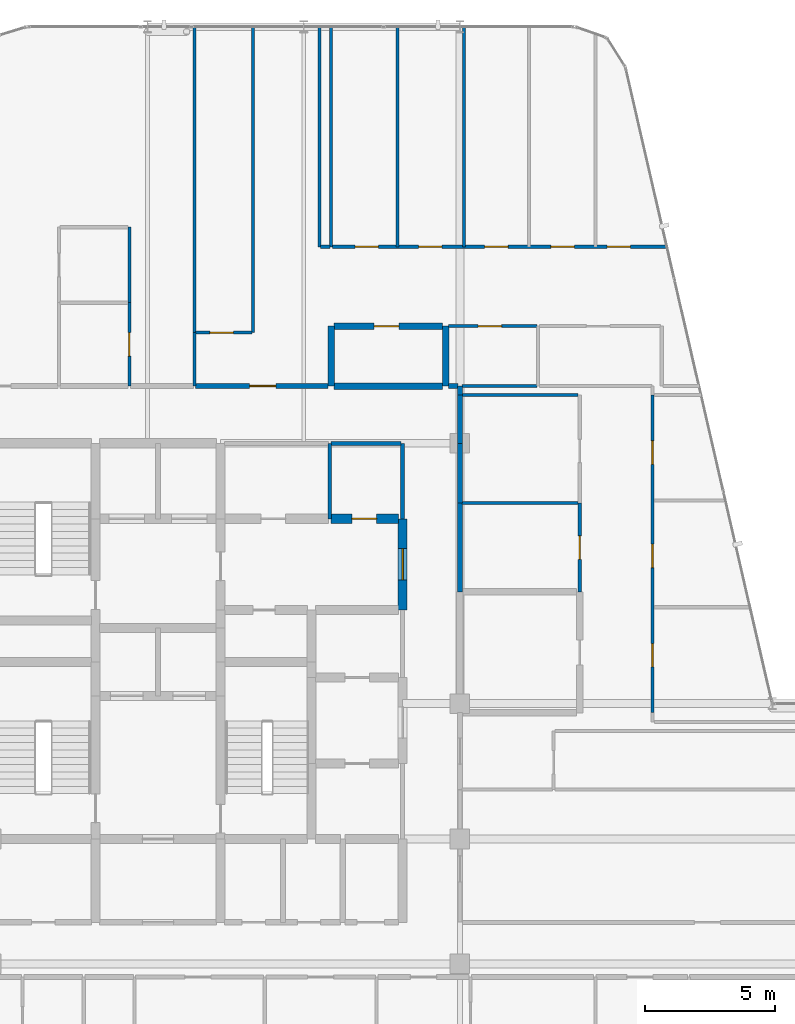
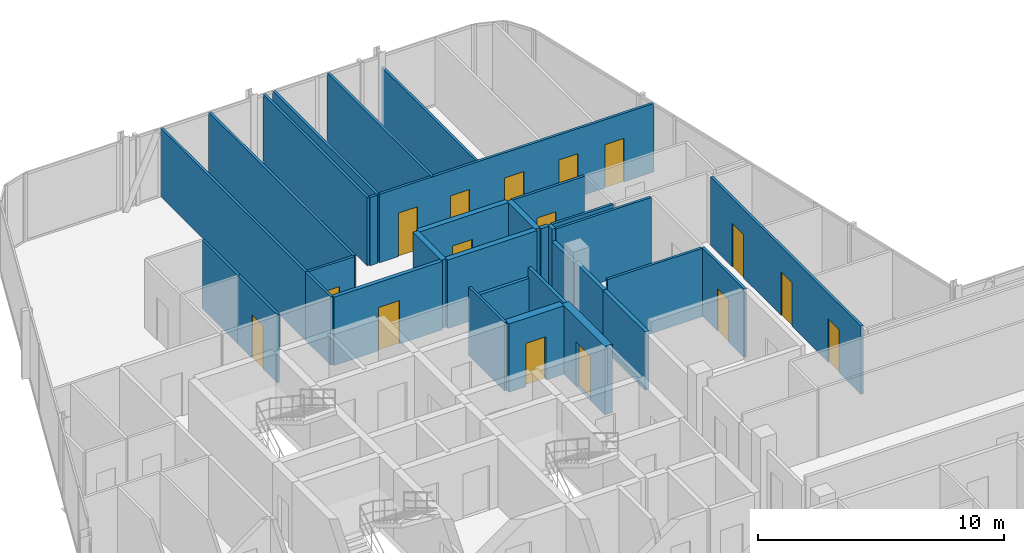
# One storey, part 27 of 29: 33 walls, 16 doors, 16 openings.
"""IFC4 building model written with IfcOpenShell, lengths in metres."""

from ifc_helpers import new_model, si_unit, direction, frame, frame_2d, origin, place, context, subcontext, project, spatial, rectangle, extrude, material, layer, layer_set, type_object, element, fill, save


model = new_model("IFC4")

# Units and contexts
model_context = context("Model", 3, precision=1e-05, world=origin(), true_north=direction((0.0, 1.0)))
body_context = subcontext(model_context, "Body", "Model", "MODEL_VIEW")
ifc_project = project(units=[si_unit("LENGTHUNIT", "METRE"), si_unit("AREAUNIT", "SQUARE_METRE"), si_unit("VOLUMEUNIT", "CUBIC_METRE"), si_unit("PLANEANGLEUNIT", "RADIAN"), si_unit("MASSUNIT", "GRAM", prefix="KILO")], contexts=[model_context])

# Site, building, storey
site_placement = place(None, origin())
site = spatial("IfcSite", under=ifc_project, at=site_placement, CompositionType="ELEMENT")
building_placement = place(site_placement, origin())
building = spatial("IfcBuilding", under=site, at=building_placement, Name="Keshet Zoharim Tower", CompositionType="ELEMENT")
storey_placement = place(building_placement, frame((0.0, 0.0, 226.5)))
storey = spatial("IfcBuildingStorey", under=building, at=storey_placement, Name="L56", CompositionType="ELEMENT", Elevation=226.5)

# Walls
ifc_material_1 = material(Name="Gypsum Plasterboard", Category="gypsum")
ifc_layer_1 = layer(ifc_material_1, 0.14990234375)
ifc_layer_set_1 = layer_set([ifc_layer_1], Name="Gypsum Plasterboard")
wall_type_1 = type_object("IfcWallType", Name="WL-CLIN-150", PredefinedType="STANDARD", material=ifc_layer_set_1)
wall_1_placement = place(storey_placement, frame((30.800048828125, 35.0, 0.0), z_axis=(0.0, 0.0, 1.0), x_axis=(0.0, 1.0, 0.0)))
element("IfcWall", 1, at=wall_1_placement, inside=storey, type_object=wall_type_1, Name="L56 Interior Wall 061", PredefinedType="STANDARD", context=body_context, shape_type="SweptSolid", body=[
    extrude(rectangle(XDim=2.89990234375, YDim=0.14990234375, at=frame_2d((1.449951171875, 0.0))), origin(), (0.0, 0.0, 1.0), 3.389892578125),
])
wall_2_placement = place(storey_placement, frame((28.044921875, 37.89990234375, 0.0), z_axis=(0.0, 0.0, 1.0), x_axis=(1.0, 0.0, 0.0)))
element("IfcWall", 2, at=wall_2_placement, inside=storey, type_object=wall_type_1, Name="L56 Interior Wall 170", PredefinedType="STANDARD", context=body_context, shape_type="SweptSolid", body=[
    extrude(rectangle(XDim=2.695068359375, YDim=0.14990234375, at=frame_2d((1.34765625, 0.0))), origin(), (0.0, 0.0, 1.0), 2.889892578125),
])

# Wall, opening, door
ifc_material_2 = material(Name="Concrete C60/75", Category="concrete")
ifc_layer_2 = layer(ifc_material_2, 0.35009765625)
ifc_layer_set_2 = layer_set([ifc_layer_2], Name="Concrete C60/75")
wall_type_2 = type_object("IfcWallType", Name="WL-CORE-350", PredefinedType="SHEAR", material=ifc_layer_set_2)
wall_3_placement = place(storey_placement, frame((30.800048828125, 31.5, 0.0), z_axis=(0.0, 0.0, 1.0), x_axis=(0.0, 1.0, 0.0)))
wall_3 = element("IfcWall", 3, at=wall_3_placement, inside=storey, type_object=wall_type_2, Name="L56 Core Shear Wall 060", PredefinedType="SHEAR", context=body_context, shape_type="SweptSolid", body=[
    extrude(rectangle(XDim=3.5, YDim=0.35009765625, at=frame_2d((1.75, 0.0))), origin(), (0.0, 0.0, 1.0), 3.389892578125),
])
opening_1_placement = place(wall_3_placement, frame((1.14990234375, 0.0, 0.0)))
opening_1 = element("IfcOpeningElement", 4, at=opening_1_placement, cuts=wall_3, Name="Opening D-F612", PredefinedType="OPENING", context=body_context, shape_type="SweptSolid", body=[
    extrude(rectangle(XDim=1.199951171875, YDim=2.199951171875, at=frame_2d((0.60009765625, 1.10009765625))), frame((0.0, 0.18505859375, 0.0), z_axis=(0.0, -1.0, 0.0), x_axis=(1.0, 0.0, 0.0)), (0.0, 0.0, 1.0), 0.3701171875),
])
ifc_material_3 = material(Name="Hardwood Timber", Category="wood")
door_type_1 = type_object("IfcDoorType", Name="DR-FD60-120", OperationType="NOTDEFINED", PredefinedType="DOOR", material=ifc_material_3)
door_1_placement = place(opening_1_placement, origin())
door_1 = element("IfcDoor", 5, at=door_1_placement, inside=storey, type_object=door_type_1, Name="L56 North Lift Lobby East Fire Door", OperationType="SINGLE_SWING_LEFT", OverallHeight=2.199951171875, OverallWidth=1.199951171875, PredefinedType="DOOR", context=body_context, shape_type="SweptSolid", body=[
    extrude(rectangle(XDim=1.199951171875, YDim=2.199951171875, at=frame_2d((0.60009765625, 1.10009765625))), frame((0.0, 0.02490234375, 0.0), z_axis=(0.0, -1.0, 0.0), x_axis=(1.0, 0.0, 0.0)), (0.0, 0.0, 1.0), 0.050048828125),
])
fill(opening_1, door_1)

wall_4_placement = place(storey_placement, frame((28.044921875, 35.0, 0.0), z_axis=(0.0, 0.0, 1.0), x_axis=(1.0, 0.0, 0.0)))
wall_4 = element("IfcWall", 6, at=wall_4_placement, inside=storey, type_object=wall_type_2, Name="L56 Core Shear Wall 162", PredefinedType="SHEAR", context=body_context, shape_type="SweptSolid", body=[
    extrude(rectangle(XDim=2.594970703125, YDim=0.35009765625, at=frame_2d((1.29736328125, 0.0))), origin(), (0.0, 0.0, 1.0), 3.389892578125),
])
opening_2_placement = place(wall_4_placement, frame((0.805908203125, 0.0, 0.0)))
opening_2 = element("IfcOpeningElement", 7, at=opening_2_placement, cuts=wall_4, Name="Opening D-F695", PredefinedType="OPENING", context=body_context, shape_type="SweptSolid", body=[
    extrude(rectangle(XDim=0.949951171875, YDim=2.14990234375, at=frame_2d((0.47509765625, 1.074951171875))), frame((0.0, 0.18505859375, 0.0), z_axis=(0.0, -1.0, 0.0), x_axis=(1.0, 0.0, 0.0)), (0.0, 0.0, 1.0), 0.3701171875),
])
door_type_2 = type_object("IfcDoorType", Name="DR-FD60-095", OperationType="NOTDEFINED", PredefinedType="DOOR", material=ifc_material_3)
door_2_placement = place(opening_2_placement, frame((0.949951171875, 0.0, 0.0), z_axis=(0.0, 0.0, 1.0), x_axis=(-1.0, 0.0, 0.0)))
door_2 = element("IfcDoor", 8, at=door_2_placement, inside=storey, type_object=door_type_2, Name="L56 Quiet Study Room Door", OperationType="SINGLE_SWING_LEFT", OverallHeight=2.14990234375, OverallWidth=0.949951171875, PredefinedType="DOOR", context=body_context, shape_type="SweptSolid", body=[
    extrude(rectangle(XDim=0.949951171875, YDim=2.14990234375, at=frame_2d((0.47509765625, 1.074951171875))), frame((0.0, 0.02490234375, 0.0), z_axis=(0.0, -1.0, 0.0), x_axis=(1.0, 0.0, 0.0)), (0.0, 0.0, 1.0), 0.050048828125),
])
fill(opening_2, door_2)

# Walls
ifc_layer_3 = layer(ifc_material_1, 0.179931640625)
ifc_layer_set_3 = layer_set([ifc_layer_3], Name="Gypsum Plasterboard")
wall_type_3 = type_object("IfcWallType", Name="WL-CORR-180", PredefinedType="STANDARD", material=ifc_layer_set_3)
wall_5_placement = place(storey_placement, frame((33.0, 32.18603515625, 0.0), z_axis=(0.0, 0.0, 1.0), x_axis=(0.0, 1.0, 0.0)))
element("IfcWall", 9, at=wall_5_placement, inside=storey, type_object=wall_type_3, Name="L56 Interior Wall 066", PredefinedType="STANDARD", context=body_context, shape_type="SweptSolid", body=[
    extrude(rectangle(XDim=3.416015625, YDim=0.179931640625, at=frame_2d((1.7080078125, 0.0))), origin(), (0.0, 0.0, 1.0), 2.889892578125),
])
wall_6_placement = place(storey_placement, frame((33.0, 35.60205078125, 0.0), z_axis=(0.0, 0.0, 1.0), x_axis=(0.0, 1.0, 0.0)))
element("IfcWall", 10, at=wall_6_placement, inside=storey, type_object=wall_type_3, Name="L56 Interior Wall 067", PredefinedType="STANDARD", context=body_context, shape_type="SweptSolid", body=[
    extrude(rectangle(XDim=2.2978515625, YDim=0.179931640625, at=frame_2d((1.14892578125, 0.0))), origin(), (0.0, 0.0, 1.0), 2.889892578125),
])
wall_7_placement = place(storey_placement, frame((33.0, 39.75, 0.0), z_axis=(0.0, 0.0, 1.0), x_axis=(0.0, 1.0, 0.0)))
element("IfcWall", 11, at=wall_7_placement, inside=storey, type_object=wall_type_3, Name="L56 Interior Wall 068", PredefinedType="STANDARD", context=body_context, shape_type="SweptSolid", body=[
    extrude(rectangle(XDim=0.35009765625, YDim=0.179931640625, at=frame_2d((0.175048828125, 0.0))), origin(), (0.0, 0.0, 1.0), 3.389892578125),
])

# Wall, opening, door
wall_8_placement = place(storey_placement, frame((22.844970703125, 40.10009765625, 0.0), z_axis=(0.0, 0.0, 1.0), x_axis=(1.0, 0.0, 0.0)))
wall_8 = element("IfcWall", 12, at=wall_8_placement, inside=storey, type_object=wall_type_3, Name="L56 Interior Wall 178", PredefinedType="STANDARD", context=body_context, shape_type="SweptSolid", body=[
    extrude(rectangle(XDim=5.094970703125, YDim=0.179931640625, at=frame_2d((2.54736328125, 0.0))), origin(), (0.0, 0.0, 1.0), 3.389892578125),
])
opening_3_placement = place(wall_8_placement, frame((2.080078125, 0.0, 0.0)))
opening_3 = element("IfcOpeningElement", 13, at=opening_3_placement, cuts=wall_8, Name="Opening D-F310", PredefinedType="OPENING", context=body_context, shape_type="SweptSolid", body=[
    extrude(rectangle(XDim=1.0, YDim=2.14990234375, at=frame_2d((0.5, 1.074951171875))), frame((0.0, 0.10009765625, 0.0), z_axis=(0.0, -1.0, 0.0), x_axis=(1.0, 0.0, 0.0)), (0.0, 0.0, 1.0), 0.199951171875),
])
door_type_3 = type_object("IfcDoorType", Name="DR-FD30-100", OperationType="NOTDEFINED", PredefinedType="DOOR", material=ifc_material_3)
door_3_placement = place(opening_3_placement, origin())
door_3 = element("IfcDoor", 14, at=door_3_placement, inside=storey, type_object=door_type_3, Name="Apartment 5606 Entrance Door", OperationType="SINGLE_SWING_LEFT", OverallHeight=2.14990234375, OverallWidth=1.0, PredefinedType="DOOR", context=body_context, shape_type="SweptSolid", body=[
    extrude(rectangle(XDim=1.0, YDim=2.14990234375, at=frame_2d((0.5, 1.074951171875))), frame((0.0, 0.02490234375, 0.0), z_axis=(0.0, -1.0, 0.0), x_axis=(1.0, 0.0, 0.0)), (0.0, 0.0, 1.0), 0.050048828125),
])
fill(opening_3, door_3)

# Walls
wall_9_placement = place(storey_placement, frame((32.554931640625, 40.10009765625, 0.0), z_axis=(0.0, 0.0, 1.0), x_axis=(1.0, 0.0, 0.0)))
element("IfcWall", 15, at=wall_9_placement, inside=storey, type_object=wall_type_3, Name="L56 Interior Wall 180", PredefinedType="STANDARD", context=body_context, shape_type="SweptSolid", body=[
    extrude(rectangle(XDim=0.3701171875, YDim=0.179931640625, at=frame_2d((0.18505859375, 0.0))), origin(), (0.0, 0.0, 1.0), 3.389892578125),
])
wall_10_placement = place(storey_placement, frame((33.0, 37.89990234375, 0.0), z_axis=(0.0, 0.0, 1.0), x_axis=(0.0, 1.0, 0.0)))
element("IfcWall", 16, at=wall_10_placement, inside=storey, type_object=wall_type_3, Name="L56 Interior Wall 067 Part 2", PredefinedType="STANDARD", context=body_context, shape_type="SweptSolid", body=[
    extrude(rectangle(XDim=1.85009765625, YDim=0.179931640625, at=frame_2d((0.925048828125, 0.0))), origin(), (0.0, 0.0, 1.0), 2.7900390625),
])
ifc_material_4 = material(Name="Concrete C50/60", Category="concrete")
ifc_layer_4 = layer(ifc_material_4, 0.25)
ifc_layer_set_4 = layer_set([ifc_layer_4], Name="Concrete C50/60")
wall_type_4 = type_object("IfcWallType", Name="WL-MAMAD-250", PredefinedType="STANDARD", material=ifc_layer_set_4)
for number, where, z_axis, x_axis, name in (
    (17, (28.050048828125, 40.10009765625, 0.0), (0.0, 0.0, 1.0), (0.0, 1.0, 0.0), "L56 Interior Wall 051"),
    (18, (32.449951171875, 40.10009765625, 0.0), (0.0, 0.0, 1.0), (0.0, 1.0, 0.0), "L56 Interior Wall 062"),
):
    element("IfcWall", number, at=place(storey_placement, frame(where, z_axis=z_axis, x_axis=x_axis)), inside=storey, type_object=wall_type_4, Name=name, PredefinedType="STANDARD", context=body_context, shape_type="SweptSolid", body=[
        extrude(rectangle(XDim=2.2998046875, YDim=0.25, at=frame_2d((1.14990234375, 0.0))), origin(), (0.0, 0.0, 1.0), 3.389892578125),
    ])
wall_11_placement = place(storey_placement, frame((28.159912109375, 40.10009765625, 0.0), z_axis=(0.0, 0.0, 1.0), x_axis=(1.0, 0.0, 0.0)))
element("IfcWall", 19, at=wall_11_placement, inside=storey, type_object=wall_type_4, Name="L56 Interior Wall 179", PredefinedType="STANDARD", context=body_context, shape_type="SweptSolid", body=[
    extrude(rectangle(XDim=4.175048828125, YDim=0.25, at=frame_2d((2.08740234375, 0.0))), origin(), (0.0, 0.0, 1.0), 3.389892578125),
])

# Wall, opening, door
wall_12_placement = place(storey_placement, frame((28.159912109375, 42.39990234375, 0.0), z_axis=(0.0, 0.0, 1.0), x_axis=(1.0, 0.0, 0.0)))
wall_12 = element("IfcWall", 20, at=wall_12_placement, inside=storey, type_object=wall_type_4, Name="L56 Interior Wall 185", PredefinedType="STANDARD", context=body_context, shape_type="SweptSolid", body=[
    extrude(rectangle(XDim=4.175048828125, YDim=0.25, at=frame_2d((2.08740234375, 0.0))), origin(), (0.0, 0.0, 1.0), 3.389892578125),
])
opening_4_placement = place(wall_12_placement, frame((1.5419921875, 0.0, 0.0)))
opening_4 = element("IfcOpeningElement", 21, at=opening_4_placement, cuts=wall_12, Name="Opening D-F695", PredefinedType="OPENING", context=body_context, shape_type="SweptSolid", body=[
    extrude(rectangle(XDim=0.949951171875, YDim=2.14990234375, at=frame_2d((0.47509765625, 1.074951171875))), frame((0.0, 0.135009765625, 0.0), z_axis=(0.0, -1.0, 0.0), x_axis=(1.0, 0.0, 0.0)), (0.0, 0.0, 1.0), 0.27001953125),
])
door_4_placement = place(opening_4_placement, origin())
door_4 = element("IfcDoor", 22, at=door_4_placement, inside=storey, type_object=door_type_2, Name="Apartment 5606 Study and Shelter Room Door", OperationType="SINGLE_SWING_LEFT", OverallHeight=2.14990234375, OverallWidth=0.949951171875, PredefinedType="DOOR", context=body_context, shape_type="SweptSolid", body=[
    extrude(rectangle(XDim=0.949951171875, YDim=2.14990234375, at=frame_2d((0.47509765625, 1.074951171875))), frame((0.0, 0.02490234375, 0.0), z_axis=(0.0, -1.0, 0.0), x_axis=(1.0, 0.0, 0.0)), (0.0, 0.0, 1.0), 0.050048828125),
])
fill(opening_4, door_4)

ifc_layer_5 = layer(ifc_material_1, 0.1201171875)
ifc_layer_set_5 = layer_set([ifc_layer_5], Name="Gypsum Plasterboard")
wall_type_5 = type_object("IfcWallType", Name="WL-PART-120", PredefinedType="PARTITIONING", material=ifc_layer_set_5)
wall_13_placement = place(storey_placement, frame((20.300048828125, 40.10009765625, 0.0), z_axis=(0.0, 0.0, 1.0), x_axis=(0.0, 1.0, 0.0)))
wall_13 = element("IfcWall", 23, at=wall_13_placement, inside=storey, type_object=wall_type_5, Name="L56 Interior Wall 028", PredefinedType="PARTITIONING", context=body_context, shape_type="SweptSolid", body=[
    extrude(rectangle(XDim=3.199951171875, YDim=0.1201171875, at=frame_2d((1.60009765625, 0.0))), origin(), (0.0, 0.0, 1.0), 3.389892578125),
])
opening_5_placement = place(wall_13_placement, frame((1.14990234375, 0.0, 0.0)))
opening_5 = element("IfcOpeningElement", 24, at=opening_5_placement, cuts=wall_13, Name="Opening D-IN90", PredefinedType="OPENING", context=body_context, shape_type="SweptSolid", body=[
    extrude(rectangle(XDim=0.89990234375, YDim=2.14990234375, at=frame_2d((0.449951171875, 1.074951171875))), frame((0.0, 0.070068359375, 0.0), z_axis=(0.0, -1.0, 0.0), x_axis=(1.0, 0.0, 0.0)), (0.0, 0.0, 1.0), 0.14013671875),
])
door_type_4 = type_object("IfcDoorType", Name="DR-INT-090", OperationType="NOTDEFINED", PredefinedType="DOOR", material=ifc_material_3)
door_5_placement = place(opening_5_placement, origin())
door_5 = element("IfcDoor", 25, at=door_5_placement, inside=storey, type_object=door_type_4, Name="Apartment 5605 Kitchenette Door", OperationType="SINGLE_SWING_LEFT", OverallHeight=2.14990234375, OverallWidth=0.89990234375, PredefinedType="DOOR", context=body_context, shape_type="SweptSolid", body=[
    extrude(rectangle(XDim=0.89990234375, YDim=2.14990234375, at=frame_2d((0.449951171875, 1.074951171875))), frame((0.0, 0.02490234375, 0.0), z_axis=(0.0, -1.0, 0.0), x_axis=(1.0, 0.0, 0.0)), (0.0, 0.0, 1.0), 0.050048828125),
])
fill(opening_5, door_5)

# Walls
wall_14_placement = place(storey_placement, frame((22.800048828125, 40.10009765625, 0.0), z_axis=(0.0, 0.0, 1.0), x_axis=(0.0, 1.0, 0.0)))
element("IfcWall", 26, at=wall_14_placement, inside=storey, type_object=wall_type_5, Name="L56 Interior Wall 033", PredefinedType="PARTITIONING", context=body_context, shape_type="SweptSolid", body=[
    extrude(rectangle(XDim=2.0498046875, YDim=0.1201171875, at=frame_2d((1.02490234375, 0.0))), origin(), (0.0, 0.0, 1.0), 3.389892578125),
])
for number, where, z_axis, x_axis, name in (
    (27, (22.800048828125, 42.14990234375, 0.0), (0.0, 0.0, 1.0), (0.0, 1.0, 0.0), "L56 Interior Wall 034"),
    (28, (25.050048828125, 42.14990234375, 0.0), (0.0, 0.0, 1.0), (0.0, 1.0, 0.0), "L56 Interior Wall 042"),
):
    element("IfcWall", number, at=place(storey_placement, frame(where, z_axis=z_axis, x_axis=x_axis)), inside=storey, type_object=wall_type_5, Name=name, PredefinedType="PARTITIONING", context=body_context, shape_type="SweptSolid", body=[
        extrude(rectangle(XDim=11.739990234375, YDim=0.1201171875, at=frame_2d((5.8701171875, 0.0))), origin(), (0.0, 0.0, 1.0), 3.389892578125),
    ])
wall_15_placement = place(storey_placement, frame((27.60009765625, 45.449951171875, 0.0), z_axis=(0.0, 0.0, 1.0), x_axis=(0.0, 1.0, 0.0)))
element("IfcWall", 29, at=wall_15_placement, inside=storey, type_object=wall_type_5, Name="L56 Interior Wall 049", PredefinedType="PARTITIONING", context=body_context, shape_type="SweptSolid", body=[
    extrude(rectangle(XDim=8.43994140625, YDim=0.1201171875, at=frame_2d((4.219970703125, 0.0))), origin(), (0.0, 0.0, 1.0), 3.389892578125),
])
wall_16_placement = place(storey_placement, frame((28.0, 35.0, 0.0), z_axis=(0.0, 0.0, 1.0), x_axis=(0.0, 1.0, 0.0)))
element("IfcWall", 30, at=wall_16_placement, inside=storey, type_object=wall_type_5, Name="L56 Interior Wall 050", PredefinedType="PARTITIONING", context=body_context, shape_type="SweptSolid", body=[
    extrude(rectangle(XDim=2.89990234375, YDim=0.1201171875, at=frame_2d((1.449951171875, 0.0))), origin(), (0.0, 0.0, 1.0), 3.389892578125),
])
for number, where, z_axis, x_axis, name in (
    (31, (28.050048828125, 45.449951171875, 0.0), (0.0, 0.0, 1.0), (0.0, 1.0, 0.0), "L56 Interior Wall 052"),
    (32, (30.60009765625, 45.449951171875, 0.0), (0.0, 0.0, 1.0), (0.0, 1.0, 0.0), "L56 Interior Wall 055"),
):
    element("IfcWall", number, at=place(storey_placement, frame(where, z_axis=z_axis, x_axis=x_axis)), inside=storey, type_object=wall_type_5, Name=name, PredefinedType="PARTITIONING", context=body_context, shape_type="SweptSolid", body=[
        extrude(rectangle(XDim=8.43994140625, YDim=0.1201171875, at=frame_2d((4.219970703125, 0.0))), origin(), (0.0, 0.0, 1.0), 3.389892578125),
    ])
wall_17_placement = place(storey_placement, frame((33.14990234375, 45.449951171875, 0.0), z_axis=(0.0, 0.0, 1.0), x_axis=(0.0, 1.0, 0.0)))
element("IfcWall", 33, at=wall_17_placement, inside=storey, type_object=wall_type_5, Name="L56 Interior Wall 069", PredefinedType="PARTITIONING", context=body_context, shape_type="SweptSolid", body=[
    extrude(rectangle(XDim=8.43994140625, YDim=0.1201171875, at=frame_2d((4.219970703125, 0.0))), origin(), (0.0, 0.0, 1.0), 2.7900390625),
])

# Wall, openings, doors
wall_18_placement = place(storey_placement, frame((40.39990234375, 27.550048828125, 0.0), z_axis=(0.0, 0.0, 1.0), x_axis=(0.0, 1.0, 0.0)))
wall_18 = element("IfcWall", 34, at=wall_18_placement, inside=storey, type_object=wall_type_5, Name="L56 Interior Wall 084", PredefinedType="PARTITIONING", context=body_context, shape_type="SweptSolid", body=[
    extrude(rectangle(XDim=12.199951171875, YDim=0.1201171875, at=frame_2d((6.10009765625, 0.0))), origin(), (0.0, 0.0, 1.0), 3.389892578125),
])
opening_6_placement = place(wall_18_placement, frame((1.758056640625, 0.0, 0.0)))
opening_6 = element("IfcOpeningElement", 35, at=opening_6_placement, cuts=wall_18, Name="Opening D-IN90", PredefinedType="OPENING", context=body_context, shape_type="SweptSolid", body=[
    extrude(rectangle(XDim=0.89990234375, YDim=2.14990234375, at=frame_2d((0.449951171875, 1.074951171875))), frame((0.0, 0.070068359375, 0.0), z_axis=(0.0, -1.0, 0.0), x_axis=(1.0, 0.0, 0.0)), (0.0, 0.0, 1.0), 0.14013671875),
])
opening_7_placement = place(wall_18_placement, frame((5.5791015625, 0.0, 0.0)))
opening_7 = element("IfcOpeningElement", 36, at=opening_7_placement, cuts=wall_18, Name="Opening D-IN90", PredefinedType="OPENING", context=body_context, shape_type="SweptSolid", body=[
    extrude(rectangle(XDim=0.89990234375, YDim=2.14990234375, at=frame_2d((0.449951171875, 1.074951171875))), frame((0.0, 0.070068359375, 0.0), z_axis=(0.0, -1.0, 0.0), x_axis=(1.0, 0.0, 0.0)), (0.0, 0.0, 1.0), 0.14013671875),
])
opening_8_placement = place(wall_18_placement, frame((9.541015625, 0.0, 0.0)))
opening_8 = element("IfcOpeningElement", 37, at=opening_8_placement, cuts=wall_18, Name="Opening D-IN90", PredefinedType="OPENING", context=body_context, shape_type="SweptSolid", body=[
    extrude(rectangle(XDim=0.89990234375, YDim=2.14990234375, at=frame_2d((0.449951171875, 1.074951171875))), frame((0.0, 0.070068359375, 0.0), z_axis=(0.0, -1.0, 0.0), x_axis=(1.0, 0.0, 0.0)), (0.0, 0.0, 1.0), 0.14013671875),
])
door_6_placement = place(opening_6_placement, origin())
door_6 = element("IfcDoor", 38, at=door_6_placement, inside=storey, type_object=door_type_4, Name="Apartment 5610 Bedroom 1 Door", OperationType="SINGLE_SWING_RIGHT", OverallHeight=2.14990234375, OverallWidth=0.89990234375, PredefinedType="DOOR", context=body_context, shape_type="SweptSolid", body=[
    extrude(rectangle(XDim=0.89990234375, YDim=2.14990234375, at=frame_2d((0.449951171875, 1.074951171875))), frame((0.0, 0.02490234375, 0.0), z_axis=(0.0, -1.0, 0.0), x_axis=(1.0, 0.0, 0.0)), (0.0, 0.0, 1.0), 0.050048828125),
])
fill(opening_6, door_6)
door_7_placement = place(opening_7_placement, origin())
door_7 = element("IfcDoor", 39, at=door_7_placement, inside=storey, type_object=door_type_4, Name="Apartment 5610 Bedroom 2 Door", OperationType="SINGLE_SWING_LEFT", OverallHeight=2.14990234375, OverallWidth=0.89990234375, PredefinedType="DOOR", context=body_context, shape_type="SweptSolid", body=[
    extrude(rectangle(XDim=0.89990234375, YDim=2.14990234375, at=frame_2d((0.449951171875, 1.074951171875))), frame((0.0, 0.02490234375, 0.0), z_axis=(0.0, -1.0, 0.0), x_axis=(1.0, 0.0, 0.0)), (0.0, 0.0, 1.0), 0.050048828125),
])
fill(opening_7, door_7)
door_8_placement = place(opening_8_placement, origin())
door_8 = element("IfcDoor", 40, at=door_8_placement, inside=storey, type_object=door_type_4, Name="Apartment 5610 Bedroom 3 Door", OperationType="SINGLE_SWING_RIGHT", OverallHeight=2.14990234375, OverallWidth=0.89990234375, PredefinedType="DOOR", context=body_context, shape_type="SweptSolid", body=[
    extrude(rectangle(XDim=0.89990234375, YDim=2.14990234375, at=frame_2d((0.449951171875, 1.074951171875))), frame((0.0, 0.02490234375, 0.0), z_axis=(0.0, -1.0, 0.0), x_axis=(1.0, 0.0, 0.0)), (0.0, 0.0, 1.0), 0.050048828125),
])
fill(opening_8, door_8)

# Wall
wall_19_placement = place(storey_placement, frame((33.074951171875, 39.75, 0.0), z_axis=(0.0, 0.0, 1.0), x_axis=(1.0, 0.0, 0.0)))
element("IfcWall", 41, at=wall_19_placement, inside=storey, type_object=wall_type_5, Name="L56 Interior Wall 171", PredefinedType="PARTITIONING", context=body_context, shape_type="SweptSolid", body=[
    extrude(rectangle(XDim=4.4599609375, YDim=0.1201171875, at=frame_2d((2.22998046875, 0.0))), origin(), (0.0, 0.0, 1.0), 3.389892578125),
])

# Wall, opening, door
wall_20_placement = place(storey_placement, frame((22.844970703125, 42.14990234375, 0.0), z_axis=(0.0, 0.0, 1.0), x_axis=(1.0, 0.0, 0.0)))
wall_20 = element("IfcWall", 42, at=wall_20_placement, inside=storey, type_object=wall_type_5, Name="L56 Interior Wall 184", PredefinedType="PARTITIONING", context=body_context, shape_type="SweptSolid", body=[
    extrude(rectangle(XDim=2.159912109375, YDim=0.1201171875, at=frame_2d((1.080078125, 0.0))), origin(), (0.0, 0.0, 1.0), 3.389892578125),
])
opening_9_placement = place(wall_20_placement, frame((0.552978515625, 0.0, 0.0)))
opening_9 = element("IfcOpeningElement", 43, at=opening_9_placement, cuts=wall_20, Name="Opening D-IN90", PredefinedType="OPENING", context=body_context, shape_type="SweptSolid", body=[
    extrude(rectangle(XDim=0.89990234375, YDim=2.14990234375, at=frame_2d((0.449951171875, 1.074951171875))), frame((0.0, 0.070068359375, 0.0), z_axis=(0.0, -1.0, 0.0), x_axis=(1.0, 0.0, 0.0)), (0.0, 0.0, 1.0), 0.14013671875),
])
door_9_placement = place(opening_9_placement, origin())
door_9 = element("IfcDoor", 44, at=door_9_placement, inside=storey, type_object=door_type_4, Name="Apartment 5606 Formal Dining Room Door", OperationType="SINGLE_SWING_RIGHT", OverallHeight=2.14990234375, OverallWidth=0.89990234375, PredefinedType="DOOR", context=body_context, shape_type="SweptSolid", body=[
    extrude(rectangle(XDim=0.89990234375, YDim=2.14990234375, at=frame_2d((0.449951171875, 1.074951171875))), frame((0.0, 0.02490234375, 0.0), z_axis=(0.0, -1.0, 0.0), x_axis=(1.0, 0.0, 0.0)), (0.0, 0.0, 1.0), 0.050048828125),
])
fill(opening_9, door_9)

# Wall
wall_21_placement = place(storey_placement, frame((27.64501953125, 45.449951171875, 0.0), z_axis=(0.0, 0.0, 1.0), x_axis=(1.0, 0.0, 0.0)))
element("IfcWall", 45, at=wall_21_placement, inside=storey, type_object=wall_type_5, Name="L56 Interior Wall 189", PredefinedType="PARTITIONING", context=body_context, shape_type="SweptSolid", body=[
    extrude(rectangle(XDim=0.35986328125, YDim=0.1201171875, at=frame_2d((0.179931640625, 0.0))), origin(), (0.0, 0.0, 1.0), 3.389892578125),
])

# Wall, openings, doors
wall_22_placement = place(storey_placement, frame((28.094970703125, 45.449951171875, 0.0), z_axis=(0.0, 0.0, 1.0), x_axis=(1.0, 0.0, 0.0)))
wall_22 = element("IfcWall", 46, at=wall_22_placement, inside=storey, type_object=wall_type_5, Name="L56 Interior Wall 190", PredefinedType="PARTITIONING", context=body_context, shape_type="SweptSolid", body=[
    extrude(rectangle(XDim=12.844970703125, YDim=0.1201171875, at=frame_2d((6.42236328125, 0.0))), origin(), (0.0, 0.0, 1.0), 3.389892578125),
])
opening_10_placement = place(wall_22_placement, frame((0.8740234375, 0.0, 0.0)))
opening_10 = element("IfcOpeningElement", 47, at=opening_10_placement, cuts=wall_22, Name="Opening D-IN90", PredefinedType="OPENING", context=body_context, shape_type="SweptSolid", body=[
    extrude(rectangle(XDim=0.89990234375, YDim=2.14990234375, at=frame_2d((0.449951171875, 1.074951171875))), frame((0.0, 0.070068359375, 0.0), z_axis=(0.0, -1.0, 0.0), x_axis=(1.0, 0.0, 0.0)), (0.0, 0.0, 1.0), 0.14013671875),
])
opening_11_placement = place(wall_22_placement, frame((3.31494140625, 0.0, 0.0)))
opening_11 = element("IfcOpeningElement", 48, at=opening_11_placement, cuts=wall_22, Name="Opening D-IN90", PredefinedType="OPENING", context=body_context, shape_type="SweptSolid", body=[
    extrude(rectangle(XDim=0.89990234375, YDim=2.14990234375, at=frame_2d((0.449951171875, 1.074951171875))), frame((0.0, 0.070068359375, 0.0), z_axis=(0.0, -1.0, 0.0), x_axis=(1.0, 0.0, 0.0)), (0.0, 0.0, 1.0), 0.14013671875),
])
opening_12_placement = place(wall_22_placement, frame((5.85595703125, 0.0, 0.0)))
opening_12 = element("IfcOpeningElement", 49, at=opening_12_placement, cuts=wall_22, Name="Opening D-IN90", PredefinedType="OPENING", context=body_context, shape_type="SweptSolid", body=[
    extrude(rectangle(XDim=0.89990234375, YDim=2.14990234375, at=frame_2d((0.449951171875, 1.074951171875))), frame((0.0, 0.070068359375, 0.0), z_axis=(0.0, -1.0, 0.0), x_axis=(1.0, 0.0, 0.0)), (0.0, 0.0, 1.0), 0.14013671875),
])
opening_13_placement = place(wall_22_placement, frame((8.39697265625, 0.0, 0.0)))
opening_13 = element("IfcOpeningElement", 50, at=opening_13_placement, cuts=wall_22, Name="Opening D-IN90", PredefinedType="OPENING", context=body_context, shape_type="SweptSolid", body=[
    extrude(rectangle(XDim=0.89990234375, YDim=2.14990234375, at=frame_2d((0.449951171875, 1.074951171875))), frame((0.0, 0.070068359375, 0.0), z_axis=(0.0, -1.0, 0.0), x_axis=(1.0, 0.0, 0.0)), (0.0, 0.0, 1.0), 0.14013671875),
])
opening_14_placement = place(wall_22_placement, frame((10.554931640625, 0.0, 0.0)))
opening_14 = element("IfcOpeningElement", 51, at=opening_14_placement, cuts=wall_22, Name="Opening D-IN90", PredefinedType="OPENING", context=body_context, shape_type="SweptSolid", body=[
    extrude(rectangle(XDim=0.89990234375, YDim=2.14990234375, at=frame_2d((0.449951171875, 1.074951171875))), frame((0.0, 0.070068359375, 0.0), z_axis=(0.0, -1.0, 0.0), x_axis=(1.0, 0.0, 0.0)), (0.0, 0.0, 1.0), 0.14013671875),
])
door_10_placement = place(opening_10_placement, origin())
door_10 = element("IfcDoor", 52, at=door_10_placement, inside=storey, type_object=door_type_4, Name="Apartment 5606 Bedroom 1 Door", OperationType="SINGLE_SWING_RIGHT", OverallHeight=2.14990234375, OverallWidth=0.89990234375, PredefinedType="DOOR", context=body_context, shape_type="SweptSolid", body=[
    extrude(rectangle(XDim=0.89990234375, YDim=2.14990234375, at=frame_2d((0.449951171875, 1.074951171875))), frame((0.0, 0.02490234375, 0.0), z_axis=(0.0, -1.0, 0.0), x_axis=(1.0, 0.0, 0.0)), (0.0, 0.0, 1.0), 0.050048828125),
])
fill(opening_10, door_10)
door_11_placement = place(opening_11_placement, origin())
door_11 = element("IfcDoor", 53, at=door_11_placement, inside=storey, type_object=door_type_4, Name="Apartment 5606 Bedroom 2 Door", OperationType="SINGLE_SWING_LEFT", OverallHeight=2.14990234375, OverallWidth=0.89990234375, PredefinedType="DOOR", context=body_context, shape_type="SweptSolid", body=[
    extrude(rectangle(XDim=0.89990234375, YDim=2.14990234375, at=frame_2d((0.449951171875, 1.074951171875))), frame((0.0, 0.02490234375, 0.0), z_axis=(0.0, -1.0, 0.0), x_axis=(1.0, 0.0, 0.0)), (0.0, 0.0, 1.0), 0.050048828125),
])
fill(opening_11, door_11)
door_12_placement = place(opening_12_placement, origin())
door_12 = element("IfcDoor", 54, at=door_12_placement, inside=storey, type_object=door_type_4, Name="Apartment 5606 Bedroom 3 Door", OperationType="SINGLE_SWING_RIGHT", OverallHeight=2.14990234375, OverallWidth=0.89990234375, PredefinedType="DOOR", context=body_context, shape_type="SweptSolid", body=[
    extrude(rectangle(XDim=0.89990234375, YDim=2.14990234375, at=frame_2d((0.449951171875, 1.074951171875))), frame((0.0, 0.02490234375, 0.0), z_axis=(0.0, -1.0, 0.0), x_axis=(1.0, 0.0, 0.0)), (0.0, 0.0, 1.0), 0.050048828125),
])
fill(opening_12, door_12)
door_13_placement = place(opening_13_placement, origin())
door_13 = element("IfcDoor", 55, at=door_13_placement, inside=storey, type_object=door_type_4, Name="Apartment 5606 Bedroom 4 Door", OperationType="SINGLE_SWING_LEFT", OverallHeight=2.14990234375, OverallWidth=0.89990234375, PredefinedType="DOOR", context=body_context, shape_type="SweptSolid", body=[
    extrude(rectangle(XDim=0.89990234375, YDim=2.14990234375, at=frame_2d((0.449951171875, 1.074951171875))), frame((0.0, 0.02490234375, 0.0), z_axis=(0.0, -1.0, 0.0), x_axis=(1.0, 0.0, 0.0)), (0.0, 0.0, 1.0), 0.050048828125),
])
fill(opening_13, door_13)
door_14_placement = place(opening_14_placement, origin())
door_14 = element("IfcDoor", 56, at=door_14_placement, inside=storey, type_object=door_type_4, Name="Apartment 5606 Bedroom 5 Door", OperationType="SINGLE_SWING_RIGHT", OverallHeight=2.14990234375, OverallWidth=0.89990234375, PredefinedType="DOOR", context=body_context, shape_type="SweptSolid", body=[
    extrude(rectangle(XDim=0.89990234375, YDim=2.14990234375, at=frame_2d((0.449951171875, 1.074951171875))), frame((0.0, 0.02490234375, 0.0), z_axis=(0.0, -1.0, 0.0), x_axis=(1.0, 0.0, 0.0)), (0.0, 0.0, 1.0), 0.050048828125),
])
fill(opening_14, door_14)

# Wall
ifc_layer_6 = layer(ifc_material_1, 0.1201171875)
ifc_layer_set_6 = layer_set([ifc_layer_6], Name="Gypsum Plasterboard")
wall_type_6 = type_object("IfcWallType", Name="WL-WET-120", PredefinedType="PARTITIONING", material=ifc_layer_set_6)
wall_23_placement = place(storey_placement, frame((20.300048828125, 43.300048828125, 0.0), z_axis=(0.0, 0.0, 1.0), x_axis=(0.0, 1.0, 0.0)))
element("IfcWall", 57, at=wall_23_placement, inside=storey, type_object=wall_type_6, Name="L56 Interior Wall 029", PredefinedType="PARTITIONING", context=body_context, shape_type="SweptSolid", body=[
    extrude(rectangle(XDim=2.89990234375, YDim=0.1201171875, at=frame_2d((1.449951171875, 0.0))), origin(), (0.0, 0.0, 1.0), 3.389892578125),
])

# Wall, opening, door
wall_24_placement = place(storey_placement, frame((37.60009765625, 32.18603515625, 0.0), z_axis=(0.0, 0.0, 1.0), x_axis=(0.0, 1.0, 0.0)))
wall_24 = element("IfcWall", 58, at=wall_24_placement, inside=storey, type_object=wall_type_6, Name="L56 Interior Wall 077", PredefinedType="PARTITIONING", context=body_context, shape_type="SweptSolid", body=[
    extrude(rectangle(XDim=3.416015625, YDim=0.1201171875, at=frame_2d((1.7080078125, 0.0))), origin(), (0.0, 0.0, 1.0), 3.389892578125),
])
opening_15_placement = place(wall_24_placement, frame((1.258056640625, 0.0, 0.0)))
opening_15 = element("IfcOpeningElement", 59, at=opening_15_placement, cuts=wall_24, Name="Opening D-WT90", PredefinedType="OPENING", context=body_context, shape_type="SweptSolid", body=[
    extrude(rectangle(XDim=0.89990234375, YDim=2.10009765625, at=frame_2d((0.449951171875, 1.050048828125))), frame((0.0, 0.070068359375, 0.0), z_axis=(0.0, -1.0, 0.0), x_axis=(1.0, 0.0, 0.0)), (0.0, 0.0, 1.0), 0.14013671875),
])
door_type_5 = type_object("IfcDoorType", Name="DR-WET-090", OperationType="NOTDEFINED", PredefinedType="DOOR", material=ifc_material_3)
door_15_placement = place(opening_15_placement, origin())
door_15 = element("IfcDoor", 60, at=door_15_placement, inside=storey, type_object=door_type_5, Name="Apartment 5610 Bathroom Door", OperationType="SINGLE_SWING_RIGHT", OverallHeight=2.10009765625, OverallWidth=0.89990234375, PredefinedType="DOOR", context=body_context, shape_type="SweptSolid", body=[
    extrude(rectangle(XDim=0.89990234375, YDim=2.10009765625, at=frame_2d((0.449951171875, 1.050048828125))), frame((0.0, 0.02490234375, 0.0), z_axis=(0.0, -1.0, 0.0), x_axis=(1.0, 0.0, 0.0)), (0.0, 0.0, 1.0), 0.050048828125),
])
fill(opening_15, door_15)

# Walls
wall_25_placement = place(storey_placement, frame((33.074951171875, 35.60009765625, 0.0), z_axis=(0.0, 0.0, 1.0), x_axis=(1.0, 0.0, 0.0)))
element("IfcWall", 61, at=wall_25_placement, inside=storey, type_object=wall_type_6, Name="L56 Interior Wall 165", PredefinedType="PARTITIONING", context=body_context, shape_type="SweptSolid", body=[
    extrude(rectangle(XDim=4.4599609375, YDim=0.1201171875, at=frame_2d((2.22998046875, 0.0))), origin(), (0.0, 0.0, 1.0), 3.389892578125),
])
wall_26_placement = place(storey_placement, frame((33.074951171875, 40.10009765625, 0.0), z_axis=(0.0, 0.0, 1.0), x_axis=(1.0, 0.0, 0.0)))
element("IfcWall", 62, at=wall_26_placement, inside=storey, type_object=wall_type_6, Name="L56 Interior Wall 181", PredefinedType="PARTITIONING", context=body_context, shape_type="SweptSolid", body=[
    extrude(rectangle(XDim=2.882080078125, YDim=0.1201171875, at=frame_2d((1.44091796875, 0.0))), origin(), (0.0, 0.0, 1.0), 3.389892578125),
])

# Wall, opening, door
wall_27_placement = place(storey_placement, frame((32.554931640625, 42.39990234375, 0.0), z_axis=(0.0, 0.0, 1.0), x_axis=(1.0, 0.0, 0.0)))
wall_27 = element("IfcWall", 63, at=wall_27_placement, inside=storey, type_object=wall_type_6, Name="L56 Interior Wall 186", PredefinedType="PARTITIONING", context=body_context, shape_type="SweptSolid", body=[
    extrude(rectangle(XDim=3.402099609375, YDim=0.1201171875, at=frame_2d((1.701171875, 0.0))), origin(), (0.0, 0.0, 1.0), 3.389892578125),
])
opening_16_placement = place(wall_27_placement, frame((1.14697265625, 0.0, 0.0)))
opening_16 = element("IfcOpeningElement", 64, at=opening_16_placement, cuts=wall_27, Name="Opening D-WT90", PredefinedType="OPENING", context=body_context, shape_type="SweptSolid", body=[
    extrude(rectangle(XDim=0.89990234375, YDim=2.10009765625, at=frame_2d((0.449951171875, 1.050048828125))), frame((0.0, 0.070068359375, 0.0), z_axis=(0.0, -1.0, 0.0), x_axis=(1.0, 0.0, 0.0)), (0.0, 0.0, 1.0), 0.14013671875),
])
door_16_placement = place(opening_16_placement, origin())
door_16 = element("IfcDoor", 65, at=door_16_placement, inside=storey, type_object=door_type_5, Name="Apartment 5606 Bathroom Door", OperationType="SINGLE_SWING_RIGHT", OverallHeight=2.10009765625, OverallWidth=0.89990234375, PredefinedType="DOOR", context=body_context, shape_type="SweptSolid", body=[
    extrude(rectangle(XDim=0.89990234375, YDim=2.10009765625, at=frame_2d((0.449951171875, 1.050048828125))), frame((0.0, 0.02490234375, 0.0), z_axis=(0.0, -1.0, 0.0), x_axis=(1.0, 0.0, 0.0)), (0.0, 0.0, 1.0), 0.050048828125),
])
fill(opening_16, door_16)

save(model, "model.ifc")
